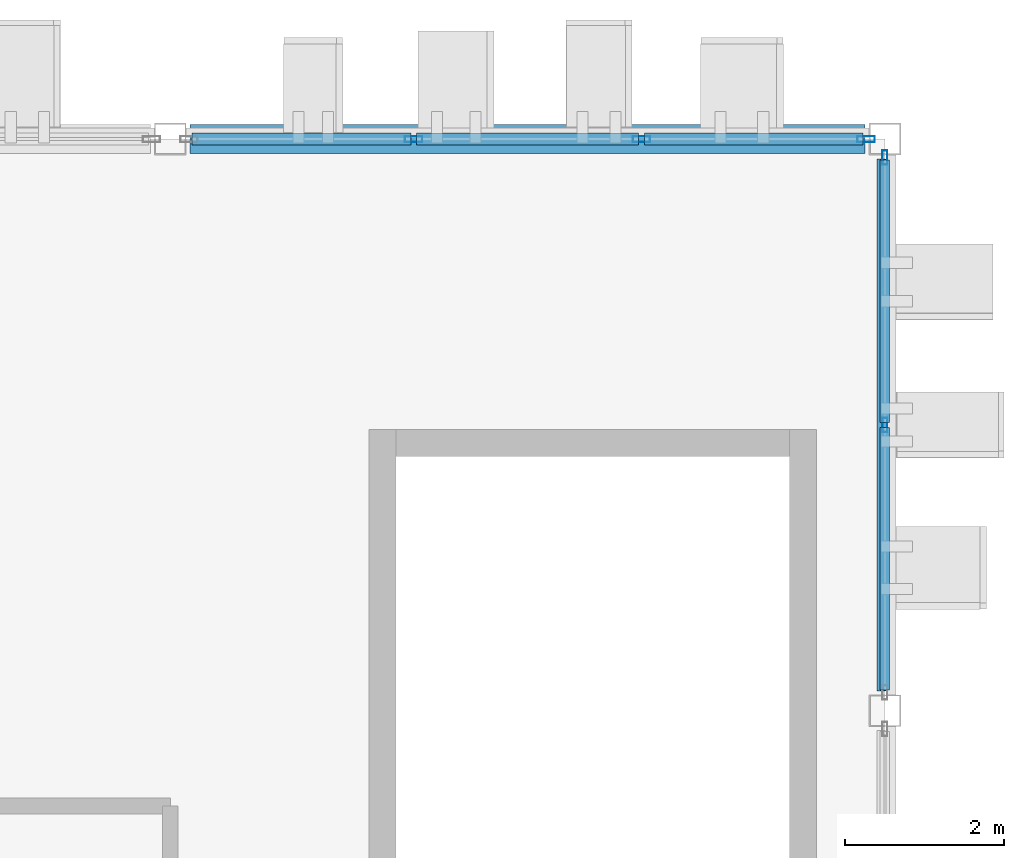
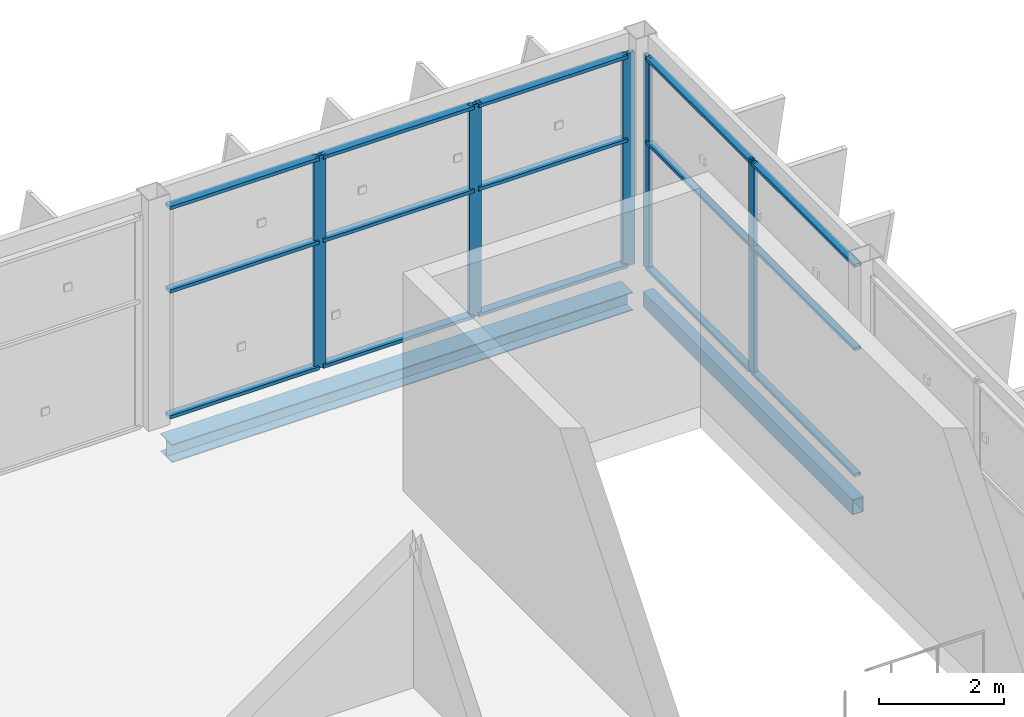
# One storey, part 87 of 151: 20 members, 2 beams, 2 elements without a shape of their own.
"""IFC4 building model written with IfcOpenShell, lengths in metres."""

from ifc_helpers import new_model, si_unit, direction, frame, origin, origin_2d, place, context, subcontext, project, spatial, hollow_rectangle, i_section, extrude, material, layer, layer_set, material_profile, profile_set, type_object, element, aggregate, save


model = new_model("IFC4")

# Units and contexts
model_context = context("Model", 3, precision=1e-05, world=origin(), true_north=direction((0.0, 1.0)))
body_context = subcontext(model_context, "Body", "Model", "MODEL_VIEW")
ifc_project = project(units=[si_unit("LENGTHUNIT", "METRE"), si_unit("AREAUNIT", "SQUARE_METRE"), si_unit("VOLUMEUNIT", "CUBIC_METRE"), si_unit("PLANEANGLEUNIT", "RADIAN"), si_unit("MASSUNIT", "GRAM", prefix="KILO")], contexts=[model_context])

# Site, building, storey
site_placement = place(None, origin())
site = spatial("IfcSite", under=ifc_project, at=site_placement, CompositionType="ELEMENT")
building_placement = place(site_placement, origin())
building = spatial("IfcBuilding", under=site, at=building_placement, Name="Celestram Park Convention Centre", CompositionType="ELEMENT")
storey_placement = place(building_placement, frame((0.0, 0.0, 10.800048828125)))
storey = spatial("IfcBuildingStorey", under=building, at=storey_placement, Name="L02", CompositionType="ELEMENT", Elevation=10.800048828125)

# Curtain wall, members
ifc_material_1 = material(Name="Anodised Aluminium Alloy 6063-T6", Category="aluminium")
ifc_layer_1 = layer(ifc_material_1, 0.179931640625)
ifc_layer_set_1 = layer_set([ifc_layer_1], Name="Anodised Aluminium Alloy 6063-T6")
curtain_wall_type_1 = type_object("IfcCurtainWallType", Name="ARC-CW-680X414", PredefinedType="NOTDEFINED", material=ifc_layer_set_1)
curtain_wall_1_placement = place(storey_placement, origin())
curtain_wall_1 = element("IfcCurtainWall", 1, at=curtain_wall_1_placement, inside=storey, type_object=curtain_wall_type_1, Name="Unitised curtain wall CU-L02-170", PredefinedType="NOTDEFINED")
ifc_material_profile_1 = material_profile(ifc_material_1, hollow_rectangle(XDim=0.06494140625, YDim=0.179931640625, WallThickness=0.00390625, at=origin_2d()), Name="ALU65X180X4")
ifc_profile_set_1 = profile_set([ifc_material_profile_1], Name="Anodised Aluminium Alloy 6063-T6")
member_type_1 = type_object("IfcMemberType", Name="ARC-CWM-150", PredefinedType="MULLION", material=ifc_profile_set_1)
member_1_placement = place(storey_placement, frame((216.0, 165.369384765625, 0.0), z_axis=(0.0, 0.0, 1.0), x_axis=(1.0, 0.0, 0.0)))
member_1 = element("IfcMember", 2, at=member_1_placement, type_object=member_type_1, Name="CW-68X41 mullion 1", PredefinedType="MULLION", context=body_context, shape_type="SweptSolid", body=[
    extrude(hollow_rectangle(XDim=0.06494140625, YDim=0.179931640625, WallThickness=0.00390625, at=origin_2d()), origin(), (0.0, 0.0, 1.0), 4.14404296875),
])
member_2_placement = place(storey_placement, frame((216.0, 162.0, 0.0), z_axis=(0.0, 0.0, 1.0), x_axis=(1.0, 0.0, 0.0)))
member_2 = element("IfcMember", 3, at=member_2_placement, type_object=member_type_1, Name="CW-68X41 mullion 2", PredefinedType="MULLION", context=body_context, shape_type="SweptSolid", body=[
    extrude(hollow_rectangle(XDim=0.06494140625, YDim=0.179931640625, WallThickness=0.00390625, at=origin_2d()), origin(), (0.0, 0.0, 1.0), 4.14404296875),
])

ifc_layer_2 = layer(ifc_material_1, 0.179931640625)
ifc_layer_set_2 = layer_set([ifc_layer_2], Name="Anodised Aluminium Alloy 6063-T6")
curtain_wall_type_2 = type_object("IfcCurtainWallType", Name="ARC-CW-860X414", PredefinedType="NOTDEFINED", material=ifc_layer_set_2)
curtain_wall_2_placement = place(storey_placement, origin())
curtain_wall_2 = element("IfcCurtainWall", 4, at=curtain_wall_2_placement, inside=storey, type_object=curtain_wall_type_2, Name="Unitised curtain wall CU-L02-169", PredefinedType="NOTDEFINED")
ifc_material_profile_2 = material_profile(ifc_material_1, hollow_rectangle(XDim=0.074951171875, YDim=0.219970703125, WallThickness=0.00390625, at=origin_2d()), Name="ALU75X220X4")
ifc_profile_set_2 = profile_set([ifc_material_profile_2], Name="Anodised Aluminium Alloy 6063-T6")
member_type_2 = type_object("IfcMemberType", Name="ARC-CWM-180", PredefinedType="MULLION", material=ifc_profile_set_2)
member_3_placement = place(storey_placement, frame((210.06591796875, 165.60009765625, 0.0), z_axis=(0.0, 0.0, 1.0), x_axis=(0.0, 1.0, 0.0)))
member_3 = element("IfcMember", 5, at=member_3_placement, type_object=member_type_2, Name="CW-86X41 mullion 2", PredefinedType="MULLION", context=body_context, shape_type="SweptSolid", body=[
    extrude(hollow_rectangle(XDim=0.074951171875, YDim=0.219970703125, WallThickness=0.00390625, at=origin_2d()), origin(), (0.0, 0.0, 1.0), 4.14404296875),
])
member_4_placement = place(storey_placement, frame((212.93408203125, 165.60009765625, 0.0), z_axis=(0.0, 0.0, 1.0), x_axis=(0.0, 1.0, 0.0)))
member_4 = element("IfcMember", 6, at=member_4_placement, type_object=member_type_2, Name="CW-86X41 mullion 3", PredefinedType="MULLION", context=body_context, shape_type="SweptSolid", body=[
    extrude(hollow_rectangle(XDim=0.074951171875, YDim=0.219970703125, WallThickness=0.00390625, at=origin_2d()), origin(), (0.0, 0.0, 1.0), 4.14404296875),
])
member_5_placement = place(storey_placement, frame((215.764404296875, 165.60009765625, 0.0), z_axis=(0.0, 0.0, 1.0), x_axis=(0.0, 1.0, 0.0)))
member_5 = element("IfcMember", 7, at=member_5_placement, type_object=member_type_2, Name="CW-86X41 mullion 4", PredefinedType="MULLION", context=body_context, shape_type="SweptSolid", body=[
    extrude(hollow_rectangle(XDim=0.074951171875, YDim=0.219970703125, WallThickness=0.00390625, at=origin_2d()), origin(), (0.0, 0.0, 1.0), 4.14404296875),
])

# Member
ifc_material_profile_3 = material_profile(ifc_material_1, hollow_rectangle(XDim=0.1201171875, YDim=0.06005859375, WallThickness=0.0029296875, at=origin_2d()), Name="ALU120X60X3")
ifc_profile_set_3 = profile_set([ifc_material_profile_3], Name="Anodised Aluminium Alloy 6063-T6")
member_type_3 = type_object("IfcMemberType", Name="ARC-CWT-120", PredefinedType="USERDEFINED", material=ifc_profile_set_3)
member_6_placement = place(storey_placement, frame((216.0, 165.3369140625, 0.030029296875), z_axis=(0.0, -1.0, 0.0), x_axis=(1.0, 0.0, 0.0)))
member_6 = element("IfcMember", 8, at=member_6_placement, type_object=member_type_3, Name="CW-68X41 transom 1.1", ObjectType="TRANSOM", PredefinedType="USERDEFINED", context=body_context, shape_type="SweptSolid", body=[
    extrude(hollow_rectangle(XDim=0.1201171875, YDim=0.06005859375, WallThickness=0.0029296875, at=origin_2d()), origin(), (0.0, 0.0, 1.0), 3.304443359375),
])

member_7_placement = place(storey_placement, frame((216.0, 165.3369140625, 2.48583984375), z_axis=(0.0, -1.0, 0.0), x_axis=(1.0, 0.0, 0.0)))
member_7 = element("IfcMember", 9, at=member_7_placement, type_object=member_type_3, Name="CW-68X41 transom 1.2", ObjectType="TRANSOM", PredefinedType="USERDEFINED", context=body_context, shape_type="SweptSolid", body=[
    extrude(hollow_rectangle(XDim=0.1201171875, YDim=0.06005859375, WallThickness=0.0029296875, at=origin_2d()), origin(), (0.0, 0.0, 1.0), 3.304443359375),
])

member_8_placement = place(storey_placement, frame((216.0, 165.3369140625, 4.114013671875), z_axis=(0.0, -1.0, 0.0), x_axis=(1.0, 0.0, 0.0)))
member_8 = element("IfcMember", 10, at=member_8_placement, type_object=member_type_3, Name="CW-68X41 transom 1.3", ObjectType="TRANSOM", PredefinedType="USERDEFINED", context=body_context, shape_type="SweptSolid", body=[
    extrude(hollow_rectangle(XDim=0.1201171875, YDim=0.06005859375, WallThickness=0.0029296875, at=origin_2d()), origin(), (0.0, 0.0, 1.0), 3.304443359375),
])

member_9_placement = place(storey_placement, frame((216.0, 161.967529296875, 0.030029296875), z_axis=(0.0, -1.0, 0.0), x_axis=(1.0, 0.0, 0.0)))
member_9 = element("IfcMember", 11, at=member_9_placement, type_object=member_type_3, Name="CW-68X41 transom 2.1", ObjectType="TRANSOM", PredefinedType="USERDEFINED", context=body_context, shape_type="SweptSolid", body=[
    extrude(hollow_rectangle(XDim=0.1201171875, YDim=0.06005859375, WallThickness=0.0029296875, at=origin_2d()), origin(), (0.0, 0.0, 1.0), 3.304443359375),
])

member_10_placement = place(storey_placement, frame((216.0, 161.967529296875, 2.48583984375), z_axis=(0.0, -1.0, 0.0), x_axis=(1.0, 0.0, 0.0)))
member_10 = element("IfcMember", 12, at=member_10_placement, type_object=member_type_3, Name="CW-68X41 transom 2.2", ObjectType="TRANSOM", PredefinedType="USERDEFINED", context=body_context, shape_type="SweptSolid", body=[
    extrude(hollow_rectangle(XDim=0.1201171875, YDim=0.06005859375, WallThickness=0.0029296875, at=origin_2d()), origin(), (0.0, 0.0, 1.0), 3.304443359375),
])

member_11_placement = place(storey_placement, frame((216.0, 161.967529296875, 4.114013671875), z_axis=(0.0, -1.0, 0.0), x_axis=(1.0, 0.0, 0.0)))
member_11 = element("IfcMember", 13, at=member_11_placement, type_object=member_type_3, Name="CW-68X41 transom 2.3", ObjectType="TRANSOM", PredefinedType="USERDEFINED", context=body_context, shape_type="SweptSolid", body=[
    extrude(hollow_rectangle(XDim=0.1201171875, YDim=0.06005859375, WallThickness=0.0029296875, at=origin_2d()), origin(), (0.0, 0.0, 1.0), 3.304443359375),
])

aggregate(curtain_wall_1, [member_1, member_2, member_6, member_7, member_8, member_9, member_10, member_11])

ifc_material_profile_4 = material_profile(ifc_material_1, hollow_rectangle(XDim=0.14990234375, YDim=0.06494140625, WallThickness=0.0029296875, at=origin_2d()), Name="ALU150X65X3")
ifc_profile_set_4 = profile_set([ifc_material_profile_4], Name="Anodised Aluminium Alloy 6063-T6")
member_type_4 = type_object("IfcMemberType", Name="ARC-CWT-150", PredefinedType="USERDEFINED", material=ifc_profile_set_4)
member_12_placement = place(storey_placement, frame((207.27294921875, 165.60009765625, 0.032470703125), z_axis=(1.0, 0.0, 0.0), x_axis=(0.0, 1.0, 0.0)))
member_12 = element("IfcMember", 14, at=member_12_placement, type_object=member_type_4, Name="CW-86X41 transom 1.1", ObjectType="TRANSOM", PredefinedType="USERDEFINED", context=body_context, shape_type="SweptSolid", body=[
    extrude(hollow_rectangle(XDim=0.14990234375, YDim=0.06494140625, WallThickness=0.0029296875, at=origin_2d()), origin(), (0.0, 0.0, 1.0), 2.755615234375),
])

member_13_placement = place(storey_placement, frame((207.27294921875, 165.60009765625, 2.48583984375), z_axis=(1.0, 0.0, 0.0), x_axis=(0.0, 1.0, 0.0)))
member_13 = element("IfcMember", 15, at=member_13_placement, type_object=member_type_4, Name="CW-86X41 transom 1.2", ObjectType="TRANSOM", PredefinedType="USERDEFINED", context=body_context, shape_type="SweptSolid", body=[
    extrude(hollow_rectangle(XDim=0.14990234375, YDim=0.06494140625, WallThickness=0.0029296875, at=origin_2d()), origin(), (0.0, 0.0, 1.0), 2.755615234375),
])

member_14_placement = place(storey_placement, frame((207.27294921875, 165.60009765625, 4.111572265625), z_axis=(1.0, 0.0, 0.0), x_axis=(0.0, 1.0, 0.0)))
member_14 = element("IfcMember", 16, at=member_14_placement, type_object=member_type_4, Name="CW-86X41 transom 1.3", ObjectType="TRANSOM", PredefinedType="USERDEFINED", context=body_context, shape_type="SweptSolid", body=[
    extrude(hollow_rectangle(XDim=0.14990234375, YDim=0.06494140625, WallThickness=0.0029296875, at=origin_2d()), origin(), (0.0, 0.0, 1.0), 2.755615234375),
])

member_15_placement = place(storey_placement, frame((210.103515625, 165.60009765625, 0.032470703125), z_axis=(1.0, 0.0, 0.0), x_axis=(0.0, 1.0, 0.0)))
member_15 = element("IfcMember", 17, at=member_15_placement, type_object=member_type_4, Name="CW-86X41 transom 2.1", ObjectType="TRANSOM", PredefinedType="USERDEFINED", context=body_context, shape_type="SweptSolid", body=[
    extrude(hollow_rectangle(XDim=0.14990234375, YDim=0.06494140625, WallThickness=0.0029296875, at=origin_2d()), origin(), (0.0, 0.0, 1.0), 2.79296875),
])

member_16_placement = place(storey_placement, frame((210.103515625, 165.60009765625, 2.48583984375), z_axis=(1.0, 0.0, 0.0), x_axis=(0.0, 1.0, 0.0)))
member_16 = element("IfcMember", 18, at=member_16_placement, type_object=member_type_4, Name="CW-86X41 transom 2.2", ObjectType="TRANSOM", PredefinedType="USERDEFINED", context=body_context, shape_type="SweptSolid", body=[
    extrude(hollow_rectangle(XDim=0.14990234375, YDim=0.06494140625, WallThickness=0.0029296875, at=origin_2d()), origin(), (0.0, 0.0, 1.0), 2.79296875),
])

member_17_placement = place(storey_placement, frame((210.103515625, 165.60009765625, 4.111572265625), z_axis=(1.0, 0.0, 0.0), x_axis=(0.0, 1.0, 0.0)))
member_17 = element("IfcMember", 19, at=member_17_placement, type_object=member_type_4, Name="CW-86X41 transom 2.3", ObjectType="TRANSOM", PredefinedType="USERDEFINED", context=body_context, shape_type="SweptSolid", body=[
    extrude(hollow_rectangle(XDim=0.14990234375, YDim=0.06494140625, WallThickness=0.0029296875, at=origin_2d()), origin(), (0.0, 0.0, 1.0), 2.79296875),
])

member_18_placement = place(storey_placement, frame((212.971435546875, 165.60009765625, 0.032470703125), z_axis=(1.0, 0.0, 0.0), x_axis=(0.0, 1.0, 0.0)))
member_18 = element("IfcMember", 20, at=member_18_placement, type_object=member_type_4, Name="CW-86X41 transom 3.1", ObjectType="TRANSOM", PredefinedType="USERDEFINED", context=body_context, shape_type="SweptSolid", body=[
    extrude(hollow_rectangle(XDim=0.14990234375, YDim=0.06494140625, WallThickness=0.0029296875, at=origin_2d()), origin(), (0.0, 0.0, 1.0), 2.755615234375),
])

member_19_placement = place(storey_placement, frame((212.971435546875, 165.60009765625, 2.48583984375), z_axis=(1.0, 0.0, 0.0), x_axis=(0.0, 1.0, 0.0)))
member_19 = element("IfcMember", 21, at=member_19_placement, type_object=member_type_4, Name="CW-86X41 transom 3.2", ObjectType="TRANSOM", PredefinedType="USERDEFINED", context=body_context, shape_type="SweptSolid", body=[
    extrude(hollow_rectangle(XDim=0.14990234375, YDim=0.06494140625, WallThickness=0.0029296875, at=origin_2d()), origin(), (0.0, 0.0, 1.0), 2.755615234375),
])

member_20_placement = place(storey_placement, frame((212.971435546875, 165.60009765625, 4.111572265625), z_axis=(1.0, 0.0, 0.0), x_axis=(0.0, 1.0, 0.0)))
member_20 = element("IfcMember", 22, at=member_20_placement, type_object=member_type_4, Name="CW-86X41 transom 3.3", ObjectType="TRANSOM", PredefinedType="USERDEFINED", context=body_context, shape_type="SweptSolid", body=[
    extrude(hollow_rectangle(XDim=0.14990234375, YDim=0.06494140625, WallThickness=0.0029296875, at=origin_2d()), origin(), (0.0, 0.0, 1.0), 2.755615234375),
])

aggregate(curtain_wall_2, [member_3, member_4, member_5, member_12, member_13, member_14, member_15, member_16, member_17, member_18, member_19, member_20])

# Beams
ifc_material_2 = material(Name="Steel ASTM A500 Grade C", Category="steel")
ifc_material_profile_5 = material_profile(ifc_material_2, hollow_rectangle(XDim=0.199951171875, YDim=0.300048828125, WallThickness=0.011962890625, at=origin_2d()), Name="HSS300X200X12")
ifc_profile_set_5 = profile_set([ifc_material_profile_5], Name="Steel ASTM A500 Grade C")
beam_type_1 = type_object("IfcBeamType", Name="STR-SPN-HSS300X200", PredefinedType="SPANDREL", material=ifc_profile_set_5)
beam_1_placement = place(storey_placement, frame((216.0, 158.64794921875, -0.570068359375), z_axis=(0.0, 1.0, 0.0), x_axis=(-1.0, 0.0, 0.0)))
element("IfcBeam", 23, at=beam_1_placement, inside=storey, type_object=beam_type_1, Name="Primary Y-girder BG-L02-0371", PredefinedType="SPANDREL", context=body_context, shape_type="SweptSolid", body=[
    extrude(hollow_rectangle(XDim=0.199951171875, YDim=0.300048828125, WallThickness=0.011962890625, at=origin_2d()), origin(), (0.0, 0.0, 1.0), 6.7041015625),
])
ifc_material_3 = material(Name="Steel ASTM A992 Grade 50", Category="steel")
ifc_material_profile_6 = material_profile(ifc_material_3, i_section(OverallWidth=0.367919921875, OverallDepth=0.35595703125, WebThickness=0.01123046875, FlangeThickness=0.01806640625, at=origin_2d()), Name="W14X90")
ifc_profile_set_6 = profile_set([ifc_material_profile_6], Name="Steel ASTM A992 Grade 50")
beam_type_2 = type_object("IfcBeamType", Name="STR-SPN-W14X90", PredefinedType="SPANDREL", material=ifc_profile_set_6)
beam_2_placement = place(storey_placement, frame((207.248046875, 165.60009765625, -0.59814453125), z_axis=(1.0, 0.0, 0.0), x_axis=(0.0, 1.0, 0.0)))
element("IfcBeam", 24, at=beam_2_placement, inside=storey, type_object=beam_type_2, Name="Primary X-girder BG-L02-0359", PredefinedType="SPANDREL", context=body_context, shape_type="SweptSolid", body=[
    extrude(i_section(OverallWidth=0.367919921875, OverallDepth=0.35595703125, WebThickness=0.01123046875, FlangeThickness=0.01806640625, at=origin_2d()), origin(), (0.0, 0.0, 1.0), 8.50390625),
])

save(model, "model.ifc")
